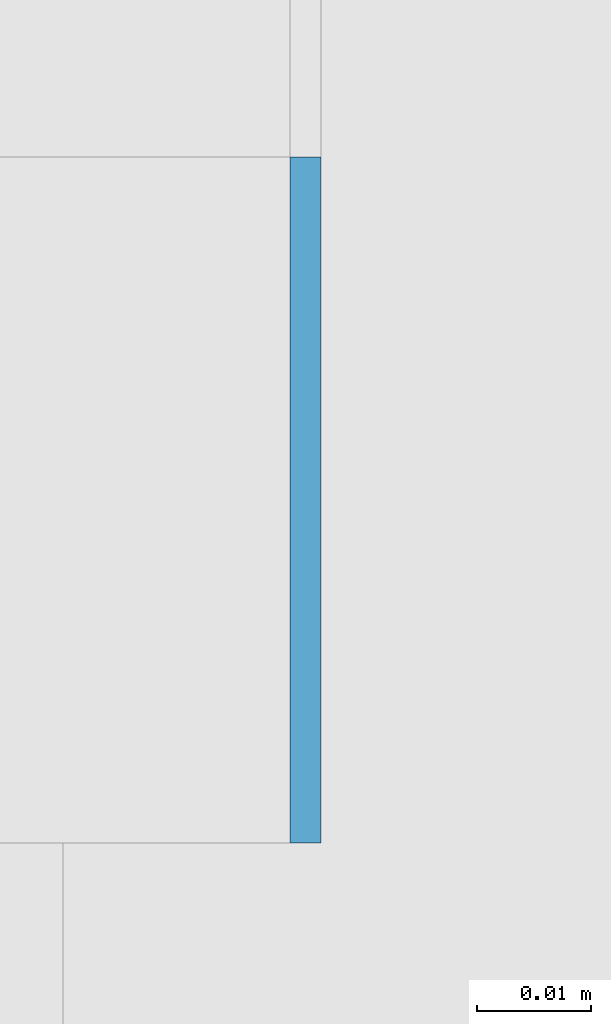
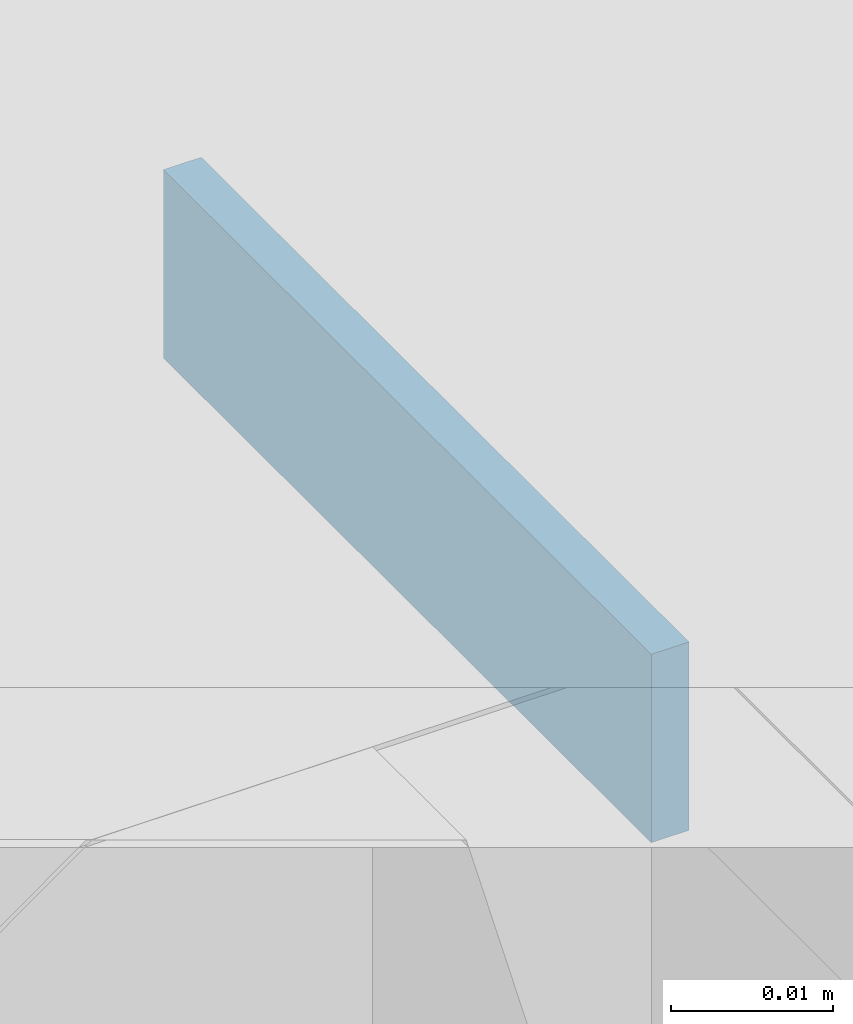
# One storey, part 283 of 646: 1 discrete accessory.
"""IFC4 building model written with IfcOpenShell, lengths in metres."""

import ifcopenshell
import ifcopenshell.guid

model = None  # the IFC model being written
_history = None  # IfcOwnerHistory: only IFC2X3 demands one
_inside = {}  # id of a spatial element -> (the spatial element, [elements in it])
_under = {}  # id of a project, library or spatial element -> (it, [spatial elements below it])
_declared = {}  # id of a project -> (the project, [libraries it declares])
_typed = {}  # id of a type object -> (the type object, [elements of that type])
_made_of = {}  # id of a material, layer set ... -> (it, [elements and type objects made of it])


def new_model(schema):
    """Start an empty IFC model of exactly this schema.

    Asked for "IFC4X3", IfcOpenShell would pick the latest addendum, in which some entities
    have other attributes; the version numbers below select the first issue.
    IFC2X3 requires an IfcOwnerHistory on every rooted entity: one is made here for all.
    """
    global model, _history
    if schema == "IFC4X3":
        model = ifcopenshell.file(schema_version=(4, 3, 0, 0))
    else:
        model = ifcopenshell.file(schema=schema)
    _inside.clear()
    _under.clear()
    _declared.clear()
    _typed.clear()
    _made_of.clear()
    _history = None
    if model.schema == "IFC2X3":
        org = make("IfcOrganization", Name="unknown")
        user = make(
            "IfcPersonAndOrganization",
            ThePerson=make("IfcPerson", FamilyName="unknown"),
            TheOrganization=org,
        )
        app = make(
            "IfcApplication",
            ApplicationDeveloper=org,
            Version="unknown",
            ApplicationFullName="unknown",
            ApplicationIdentifier="unknown",
        )
        _history = make(
            "IfcOwnerHistory",
            OwningUser=user,
            OwningApplication=app,
            ChangeAction="ADDED",
            CreationDate=0,
        )
    return model


def make(cls, **values):
    """One entity of the class cls with the attributes given. An attribute that is None is left unset."""
    return model.create_entity(
        cls, **{name: value for name, value in values.items() if value is not None}
    )


def rooted(cls, **values):
    """An entity with a GlobalId (a new one), such as an element, a storey or a relation."""
    return make(cls, GlobalId=ifcopenshell.guid.new(), OwnerHistory=_history, **values)


def si_unit(unit_type, name, prefix=None):
    """IfcSIUnit, for example si_unit("LENGTHUNIT", "METRE", prefix="MILLI")."""
    return make("IfcSIUnit", UnitType=unit_type, Prefix=prefix, Name=name)


def assignment(units):
    """IfcUnitAssignment: the units of a project."""
    return None if units is None else make("IfcUnitAssignment", Units=units)


def point(xyz):
    """IfcCartesianPoint."""
    return None if xyz is None else make("IfcCartesianPoint", Coordinates=xyz)


def direction(xyz):
    """IfcDirection."""
    return None if xyz is None else make("IfcDirection", DirectionRatios=xyz)


def frame(location, z_axis=None, x_axis=None):
    """IfcAxis2Placement3D, a coordinate frame: its origin and axes. An axis left out is left unset."""
    return make(
        "IfcAxis2Placement3D",
        Location=point(location),
        Axis=direction(z_axis),
        RefDirection=direction(x_axis),
    )


def frame_2d(location, x_axis=None):
    """IfcAxis2Placement2D, a coordinate frame in the plane: its origin and x axis."""
    return make(
        "IfcAxis2Placement2D", Location=point(location), RefDirection=direction(x_axis)
    )


def origin():
    """The frame at (0, 0, 0) with its axes left unset."""
    return frame((0.0, 0.0, 0.0))


def origin_2d():
    """The frame at (0, 0) in the plane with its x axis left unset."""
    return frame_2d((0.0, 0.0))


def place(relative_to, where):
    """IfcLocalPlacement: puts the frame where relative to a parent placement (None: the world)."""
    return make(
        "IfcLocalPlacement", PlacementRelTo=relative_to, RelativePlacement=where
    )


def context(
    kind, dimensions, precision=None, world=None, true_north=None, identifier=None
):
    """IfcGeometricRepresentationContext, for example the 3D "Model" context."""
    return make(
        "IfcGeometricRepresentationContext",
        ContextIdentifier=identifier,
        ContextType=kind,
        CoordinateSpaceDimension=dimensions,
        Precision=precision,
        WorldCoordinateSystem=world,
        TrueNorth=true_north,
    )


def subcontext(parent, identifier, kind, view, scale=None):
    """IfcGeometricRepresentationSubContext, for example "Body" below "Model"."""
    return make(
        "IfcGeometricRepresentationSubContext",
        ContextIdentifier=identifier,
        ContextType=kind,
        ParentContext=parent,
        TargetScale=scale,
        TargetView=view,
    )


def project(units=None, contexts=None):
    """IfcProject with its units and contexts."""
    return rooted(
        "IfcProject",
        Name="project",
        RepresentationContexts=contexts,
        UnitsInContext=assignment(units),
    )


def spatial(cls, under=None, at=None, **own):
    """A site, building, storey or space (cls), placed at a placement, below another one or the project."""
    s = rooted(cls, ObjectPlacement=at, **own)
    if under is not None:
        _under.setdefault(under.id(), (under, []))[1].append(s)
    return s


def profile(cls, at=None, kind="AREA", **sizes):
    """A parametric profile (cls). Its sizes go by their IFC names, for example OverallWidth=200.0."""
    return make(cls, ProfileType=kind, Position=at, **sizes)


def rectangle(**sizes):
    """IfcRectangleProfileDef."""
    return profile("IfcRectangleProfileDef", **sizes)


def extrude(swept, where, along, depth):
    """IfcExtrudedAreaSolid: the profile swept, set in the frame where, extruded along a direction by depth."""
    return make(
        "IfcExtrudedAreaSolid",
        SweptArea=swept,
        Position=where,
        ExtrudedDirection=direction(along),
        Depth=depth,
    )


def shape(context_of_items, identifier, shape_type, items):
    """IfcShapeRepresentation: the items that make up one representation, for example the "Body"."""
    return make(
        "IfcShapeRepresentation",
        ContextOfItems=context_of_items,
        RepresentationIdentifier=identifier,
        RepresentationType=shape_type,
        Items=items,
    )


def material(Name=None, Category=None):
    """IfcMaterial."""
    return make("IfcMaterial", Name=Name, Category=Category)


def made_of(thing, what):
    """Note that an element or type object is made of a material, layer set ...; save() writes the relation."""
    if what is not None:
        _made_of.setdefault(what.id(), (what, []))[1].append(thing)
    return thing


def type_object(cls, material=None, **own):
    """A type object (cls), such as IfcWallType, which elements share."""
    return made_of(rooted(cls, **own), material)


def element(
    cls,
    number,
    at=None,
    inside=None,
    cuts=None,
    type_object=None,
    material=None,
    context=None,
    identifier="Body",
    shape_type=None,
    held_by="IfcProductDefinitionShape",
    body=None,
    shapes=None,
    **own,
):
    """One element of the class cls, such as IfcWall. Its Tag is "e" and its number.

    at: its placement. inside: the storey or other place that contains it. cuts: it is an
    opening in that element (IfcRelVoidsElement). A single representation is given by context,
    identifier, shape_type and body (its items); several are given by shapes. held_by: the class
    of the entity that holds the representations. save() writes the other relations.
    """
    e = rooted(cls, Tag="e%d" % number, ObjectPlacement=at, **own)
    if body is not None:
        shapes = [shape(context, identifier, shape_type, body)]
    if shapes is not None:
        e.Representation = make(held_by, Representations=shapes)
    if inside is not None:
        _inside.setdefault(inside.id(), (inside, []))[1].append(e)
    if cuts is not None:
        rooted(
            "IfcRelVoidsElement", RelatingBuildingElement=cuts, RelatedOpeningElement=e
        )
    if type_object is not None:
        _typed.setdefault(type_object.id(), (type_object, []))[1].append(e)
    return made_of(e, material)


def aggregate(whole, parts):
    """IfcRelAggregates: a whole, such as a stair, and the parts it consists of."""
    return rooted("IfcRelAggregates", RelatingObject=whole, RelatedObjects=parts)


def save(model, path):
    """Write the relations noted so far, then the file.

    IfcRelAggregates (storeys below a building ...), IfcRelContainedInSpatialStructure (elements
    in a storey), IfcRelDefinesByType, IfcRelAssociatesMaterial and IfcRelDeclares: one each for
    every whole, place, type object, material and project.
    """
    for whole, parts in _under.values():
        aggregate(whole, parts)
    for where, things in _inside.values():
        rooted(
            "IfcRelContainedInSpatialStructure",
            RelatedElements=things,
            RelatingStructure=where,
        )
    for kind, things in _typed.values():
        rooted("IfcRelDefinesByType", RelatedObjects=things, RelatingType=kind)
    for what, things in _made_of.values():
        rooted("IfcRelAssociatesMaterial", RelatedObjects=things, RelatingMaterial=what)
    for by, libraries in _declared.values():
        rooted("IfcRelDeclares", RelatingContext=by, RelatedDefinitions=libraries)
    model.write(path)


model = new_model("IFC4")

# Units and contexts
model_context = context("Model", 3, precision=1e-05, world=origin(), true_north=direction((0.0, 1.0)))
body_context = subcontext(model_context, "Body", "Model", "MODEL_VIEW")
ifc_project = project(units=[si_unit("LENGTHUNIT", "METRE"), si_unit("AREAUNIT", "SQUARE_METRE"), si_unit("VOLUMEUNIT", "CUBIC_METRE"), si_unit("PLANEANGLEUNIT", "RADIAN"), si_unit("MASSUNIT", "GRAM", prefix="KILO")], contexts=[model_context])

# Site, building, storey
site_placement = place(None, origin())
site = spatial("IfcSite", under=ifc_project, at=site_placement, CompositionType="ELEMENT")
building_placement = place(site_placement, origin())
building = spatial("IfcBuilding", under=site, at=building_placement, Name="Silverbay Arena", CompositionType="ELEMENT")
storey_placement = place(building_placement, frame((0.0, 0.0, 33.5)))
storey = spatial("IfcBuildingStorey", under=building, at=storey_placement, Name="L05", CompositionType="ELEMENT", Elevation=33.5)

# Discrete accessory
ifc_material = material(Name="Steel S355", Category="steel")
discrete_accessory_type = type_object("IfcDiscreteAccessoryType", Name="Steel bracket plate", PredefinedType="BRACKET", material=ifc_material)
discrete_accessory_placement = place(storey_placement, frame((53.871337890625, 53.969970703125, 12.98583984375), z_axis=(0.0, 0.0, 1.0), x_axis=(1.0, 0.0, 0.0)))
element("IfcDiscreteAccessory", 1, at=discrete_accessory_placement, inside=storey, type_object=discrete_accessory_type, Name="Curtain wall packing plate", PredefinedType="BRACKET", context=body_context, shape_type="SweptSolid", body=[
    extrude(rectangle(XDim=0.002685546875, YDim=0.06005859375, at=origin_2d()), origin(), (0.0, 0.0, 1.0), 0.01416015625),
])

save(model, "model.ifc")
